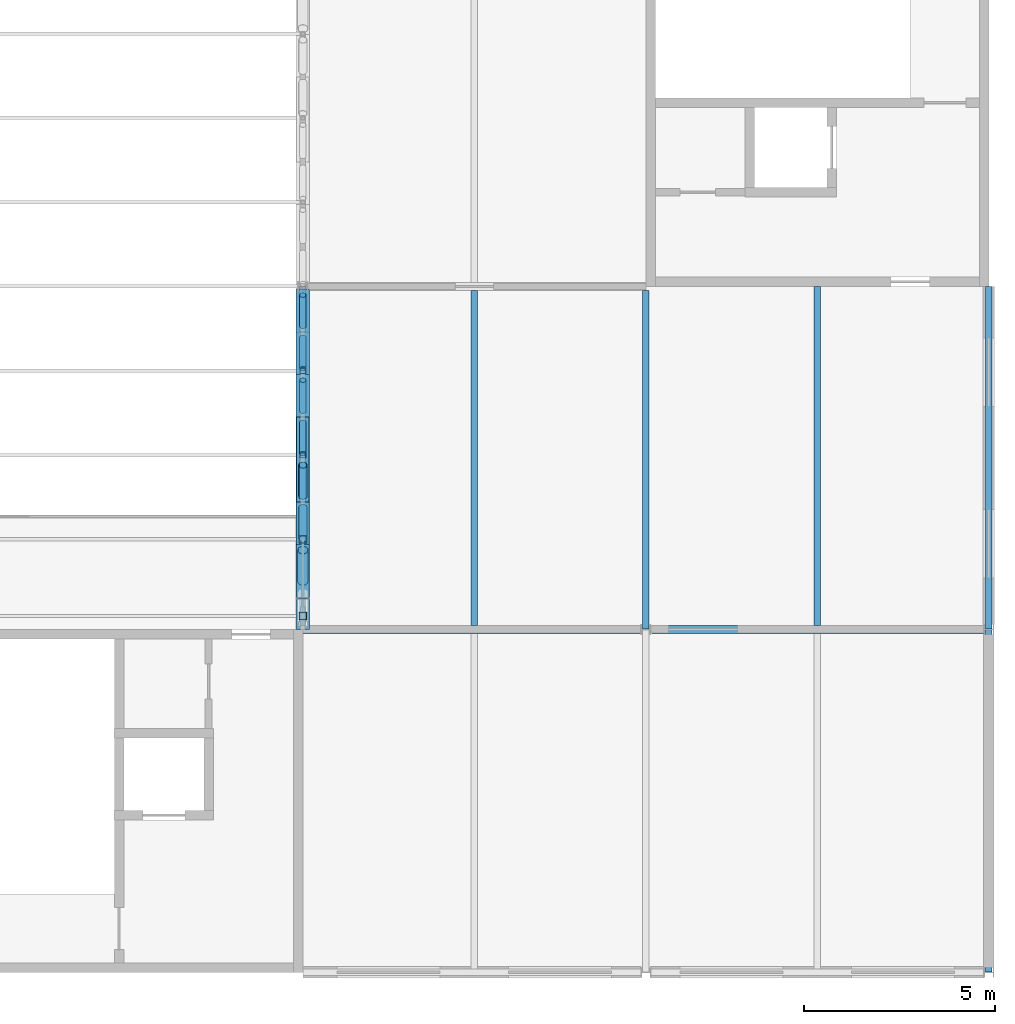
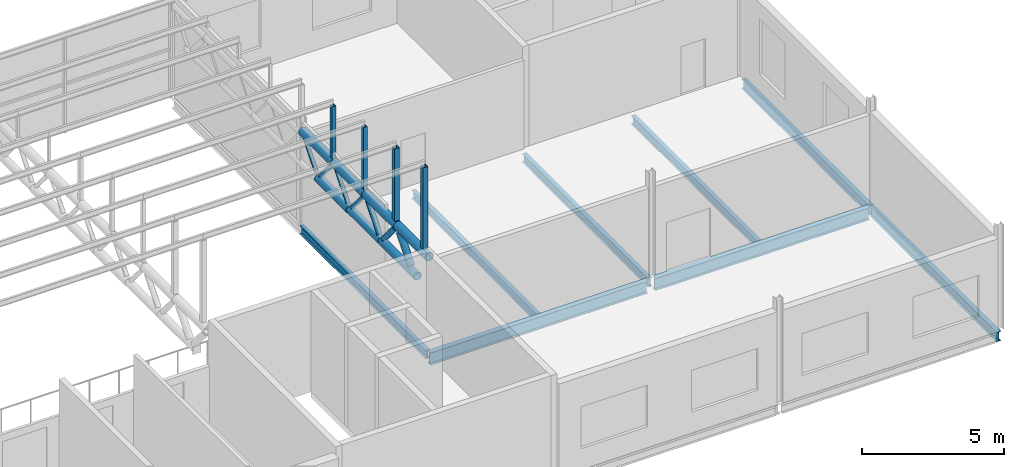
# One storey, part 80 of 138: 18 members, 8 beams.
"""IFC4 building model written with IfcOpenShell, lengths in metres."""

from ifc_helpers import new_model, si_unit, direction, frame, origin, origin_2d, place, context, subcontext, project, spatial, hollow_rectangle, hollow_circle, i_section, extrude, material, material_profile, profile_set, type_object, element, save


model = new_model("IFC4")

# Units and contexts
model_context = context("Model", 3, precision=1e-05, world=origin(), true_north=direction((0.0, 1.0)))
body_context = subcontext(model_context, "Body", "Model", "MODEL_VIEW")
ifc_project = project(units=[si_unit("LENGTHUNIT", "METRE"), si_unit("AREAUNIT", "SQUARE_METRE"), si_unit("VOLUMEUNIT", "CUBIC_METRE"), si_unit("PLANEANGLEUNIT", "RADIAN"), si_unit("MASSUNIT", "GRAM", prefix="KILO")], contexts=[model_context])

# Site, building, storey
site_placement = place(None, origin())
site = spatial("IfcSite", under=ifc_project, at=site_placement, CompositionType="ELEMENT")
building_placement = place(site_placement, origin())
building = spatial("IfcBuilding", under=site, at=building_placement, Name="Corbel Yard City Hall", CompositionType="ELEMENT")
storey_placement = place(building_placement, frame((0.0, 0.0, 10.5)))
storey = spatial("IfcBuildingStorey", under=building, at=storey_placement, Name="L02", CompositionType="ELEMENT", Elevation=10.5)

# Beams
ifc_material_1 = material(Name="Steel Grade 300 (300 MPa yield)", Category="steel")
ifc_material_profile_1 = material_profile(ifc_material_1, i_section(OverallWidth=0.1708984375, OverallDepth=0.35595703125, WebThickness=0.00732421875, FlangeThickness=0.011474609375, at=origin_2d()), Name="360UB50.7")
ifc_profile_set_1 = profile_set([ifc_material_profile_1], Name="Steel Grade 300 (300 MPa yield)")
beam_type_1 = type_object("IfcBeamType", Name="Beam 360UB50.7", PredefinedType="BEAM", material=ifc_profile_set_1)
beam_1_placement = place(storey_placement, frame((171.0, 9.005859375, -0.327880859375), z_axis=(0.0, 1.0, 0.0), x_axis=(-1.0, 0.0, 0.0)))
element("IfcBeam", 1, at=beam_1_placement, inside=storey, type_object=beam_type_1, Name="Beam 360UB50.7 SB14 L02floor", PredefinedType="BEAM", context=body_context, shape_type="SweptSolid", body=[
    extrude(i_section(OverallWidth=0.1708984375, OverallDepth=0.35595703125, WebThickness=0.00732421875, FlangeThickness=0.011474609375, at=origin_2d()), origin(), (0.0, 0.0, 1.0), 8.8896484375),
])
ifc_material_profile_2 = material_profile(ifc_material_1, i_section(OverallWidth=0.172119140625, OverallDepth=0.35888671875, WebThickness=0.008056640625, FlangeThickness=0.012939453125, at=origin_2d()), Name="360UB56.7")
ifc_profile_set_2 = profile_set([ifc_material_profile_2], Name="Steel Grade 300 (300 MPa yield)")
beam_type_2 = type_object("IfcBeamType", Name="Edge beam 360UB56.7", PredefinedType="BEAM", material=ifc_profile_set_2)
beam_2_placement = place(storey_placement, frame((162.0, 9.1044921875, -0.32958984375), z_axis=(0.0, 1.0, 0.0), x_axis=(-1.0, 0.0, 0.0)))
element("IfcBeam", 2, at=beam_2_placement, inside=storey, type_object=beam_type_2, Name="Edge beam 360UB56.7 EB4 L02floor", PredefinedType="BEAM", context=body_context, shape_type="SweptSolid", body=[
    extrude(i_section(OverallWidth=0.172119140625, OverallDepth=0.35888671875, WebThickness=0.008056640625, FlangeThickness=0.012939453125, at=origin_2d()), origin(), (0.0, 0.0, 1.0), 8.8896484375),
])
ifc_material_profile_3 = material_profile(ifc_material_1, i_section(OverallWidth=0.177978515625, OverallDepth=0.403076171875, WebThickness=0.007568359375, FlangeThickness=0.010986328125, at=origin_2d()), Name="410UB53.7")
ifc_profile_set_3 = profile_set([ifc_material_profile_3], Name="Steel Grade 300 (300 MPa yield)")
beam_type_3 = type_object("IfcBeamType", Name="Edge beam 410UB53.7", PredefinedType="BEAM", material=ifc_profile_set_3)
beam_3_placement = place(storey_placement, frame((180.0, 0.00537109375, -0.3515625), z_axis=(0.0, 1.0, 0.0), x_axis=(-1.0, 0.0, 0.0)))
element("IfcBeam", 3, at=beam_3_placement, inside=storey, type_object=beam_type_3, Name="Edge beam 410UB53.7 EB6 L02floor", PredefinedType="BEAM", context=body_context, shape_type="SweptSolid", body=[
    extrude(i_section(OverallWidth=0.177978515625, OverallDepth=0.403076171875, WebThickness=0.007568359375, FlangeThickness=0.010986328125, at=origin_2d()), origin(), (0.0, 0.0, 1.0), 8.9892578125),
])
beam_4_placement = place(storey_placement, frame((180.0, 9.00537109375, -0.3515625), z_axis=(0.0, 1.0, 0.0), x_axis=(-1.0, 0.0, 0.0)))
element("IfcBeam", 4, at=beam_4_placement, inside=storey, type_object=beam_type_3, Name="Edge beam 410UB53.7 EB6 L02floor", PredefinedType="BEAM", context=body_context, shape_type="SweptSolid", body=[
    extrude(i_section(OverallWidth=0.177978515625, OverallDepth=0.403076171875, WebThickness=0.007568359375, FlangeThickness=0.010986328125, at=origin_2d()), origin(), (0.0, 0.0, 1.0), 8.99462890625),
])
ifc_material_profile_4 = material_profile(ifc_material_1, i_section(OverallWidth=0.208984375, OverallDepth=0.528076171875, WebThickness=0.009521484375, FlangeThickness=0.01318359375, at=origin_2d()), Name="530UB82.0")
ifc_profile_set_4 = profile_set([ifc_material_profile_4], Name="Steel Grade 300 (300 MPa yield)")
beam_type_4 = type_object("IfcBeamType", Name="Girder 530UB82.0", PredefinedType="BEAM", material=ifc_profile_set_4)
beam_5_placement = place(storey_placement, frame((162.0, 9.0, -0.4140625), z_axis=(1.0, 0.0, 0.0), x_axis=(0.0, 1.0, 0.0)))
element("IfcBeam", 5, at=beam_5_placement, inside=storey, type_object=beam_type_4, Name="Girder 530UB82.0 GB3 L02floor", PredefinedType="BEAM", context=body_context, shape_type="SweptSolid", body=[
    extrude(i_section(OverallWidth=0.208984375, OverallDepth=0.528076171875, WebThickness=0.009521484375, FlangeThickness=0.01318359375, at=origin_2d()), origin(), (0.0, 0.0, 1.0), 8.842529296875),
])
beam_6_placement = place(storey_placement, frame((171.157470703125, 9.0, -0.4140625), z_axis=(1.0, 0.0, 0.0), x_axis=(0.0, 1.0, 0.0)))
element("IfcBeam", 6, at=beam_6_placement, inside=storey, type_object=beam_type_4, Name="Girder 530UB82.0 GB3 L02floor", PredefinedType="BEAM", context=body_context, shape_type="SweptSolid", body=[
    extrude(i_section(OverallWidth=0.208984375, OverallDepth=0.528076171875, WebThickness=0.009521484375, FlangeThickness=0.01318359375, at=origin_2d()), origin(), (0.0, 0.0, 1.0), 8.712646484375),
])

# Members
ifc_material_2 = material(Name="Steel Grade C350L0", Category="steel")
ifc_material_profile_5 = material_profile(ifc_material_2, hollow_circle(Radius=0.161865234375, WallThickness=0.0126953125, at=origin_2d()), Name="323.9x12.7CHS")
ifc_profile_set_5 = profile_set([ifc_material_profile_5], Name="Steel Grade C350L0")
member_type_1 = type_object("IfcMemberType", Name="Hall roof truss bottom chord 323.9x12.7CHS", PredefinedType="CHORD", material=ifc_profile_set_5)
member_1_placement = place(storey_placement, frame((162.0, 9.8154296875, 2.59228515625), z_axis=(0.0, 1.0, 0.0), x_axis=(-1.0, 0.0, 0.0)))
element("IfcMember", 7, at=member_1_placement, inside=storey, type_object=member_type_1, Name="Hall roof truss bottom chord 323.9x12.7CHS TC2", PredefinedType="CHORD", context=body_context, shape_type="SweptSolid", body=[
    extrude(hollow_circle(Radius=0.161865234375, WallThickness=0.0126953125, at=origin_2d()), origin(), (0.0, 0.0, 1.0), 2.531005859375),
])
member_2_placement = place(storey_placement, frame((162.0, 12.346435546875, 2.59228515625), z_axis=(0.0, 1.0, 0.0), x_axis=(-1.0, 0.0, 0.0)))
element("IfcMember", 8, at=member_2_placement, inside=storey, type_object=member_type_1, Name="Hall roof truss bottom chord 323.9x12.7CHS TC2", PredefinedType="CHORD", context=body_context, shape_type="SweptSolid", body=[
    extrude(hollow_circle(Radius=0.161865234375, WallThickness=0.0126953125, at=origin_2d()), origin(), (0.0, 0.0, 1.0), 2.23095703125),
])
ifc_material_profile_6 = material_profile(ifc_material_2, hollow_circle(Radius=0.177734375, WallThickness=0.0126953125, at=origin_2d()), Name="355.6x12.7CHS")
ifc_profile_set_6 = profile_set([ifc_material_profile_6], Name="Steel Grade C350L0")
member_type_2 = type_object("IfcMemberType", Name="Hall roof truss bottom chord 355.6x12.7CHS", PredefinedType="CHORD", material=ifc_profile_set_6)
member_3_placement = place(storey_placement, frame((162.0, 14.577392578125, 2.59228515625), z_axis=(0.0, 1.0, 0.0), x_axis=(-1.0, 0.0, 0.0)))
element("IfcMember", 9, at=member_3_placement, inside=storey, type_object=member_type_2, Name="Hall roof truss bottom chord 355.6x12.7CHS TC3", PredefinedType="CHORD", context=body_context, shape_type="SweptSolid", body=[
    extrude(hollow_circle(Radius=0.177734375, WallThickness=0.0126953125, at=origin_2d()), origin(), (0.0, 0.0, 1.0), 2.23095703125),
])
ifc_material_profile_7 = material_profile(ifc_material_2, hollow_circle(Radius=0.084228515625, WallThickness=0.007080078125, at=origin_2d()), Name="168.3x7.1CHS")
ifc_profile_set_7 = profile_set([ifc_material_profile_7], Name="Steel Grade C350L0")
member_type_3 = type_object("IfcMemberType", Name="Hall roof truss diagonal 168.3x7.1CHS", PredefinedType="STRUT", material=ifc_profile_set_7)
for number, where, z_axis, x_axis, name in (
    (10, (162.0, 13.611083984375, 3.744384765625), (0.0, 0.64257954038, -0.766218985855), (-1.0, 0.0, 0.0), "Hall roof truss diagonal 168.3x7.1CHS TD3"),
    (11, (162.0, 14.7265625, 2.77001953125), (0.0, 0.64257954038, 0.766218985855), (-1.0, 0.0, 0.0), "Hall roof truss diagonal 168.3x7.1CHS TD3"),
    (12, (162.0, 15.842041015625, 3.744384765625), (0.0, 0.64257954038, -0.766218985855), (-1.0, 0.0, 0.0), "Hall roof truss diagonal 168.3x7.1CHS TD3"),
    (13, (162.0, 16.95751953125, 2.77001953125), (0.0, 0.64257954038, 0.766218985855), (-1.0, 0.0, 0.0), "Hall roof truss diagonal 168.3x7.1CHS TD3"),
):
    element("IfcMember", number, at=place(storey_placement, frame(where, z_axis=z_axis, x_axis=x_axis)), inside=storey, type_object=member_type_3, Name=name, PredefinedType="STRUT", context=body_context, shape_type="SweptSolid", body=[
        extrude(hollow_circle(Radius=0.084228515625, WallThickness=0.007080078125, at=origin_2d()), origin(), (0.0, 0.0, 1.0), 1.271728515625),
    ])
ifc_material_profile_8 = material_profile(ifc_material_2, hollow_circle(Radius=0.109619140625, WallThickness=0.00830078125, at=origin_2d()), Name="219.1x8.2CHS")
ifc_profile_set_8 = profile_set([ifc_material_profile_8], Name="Steel Grade C350L0")
member_type_4 = type_object("IfcMemberType", Name="Hall roof truss diagonal 219.1x8.2CHS", PredefinedType="STRUT", material=ifc_profile_set_8)
for number, where, z_axis, x_axis, name in (
    (14, (162.0, 11.380126953125, 3.744384765625), (0.0, 0.64257954038, -0.766218985855), (-1.0, 0.0, 0.0), "Hall roof truss diagonal 219.1x8.2CHS TD2"),
    (15, (162.0, 12.49560546875, 2.77001953125), (0.0, 0.64257954038, 0.766218985855), (-1.0, 0.0, 0.0), "Hall roof truss diagonal 219.1x8.2CHS TD2"),
):
    element("IfcMember", number, at=place(storey_placement, frame(where, z_axis=z_axis, x_axis=x_axis)), inside=storey, type_object=member_type_4, Name=name, PredefinedType="STRUT", context=body_context, shape_type="SweptSolid", body=[
        extrude(hollow_circle(Radius=0.109619140625, WallThickness=0.00830078125, at=origin_2d()), origin(), (0.0, 0.0, 1.0), 1.271728515625),
    ])
ifc_material_profile_9 = material_profile(ifc_material_2, hollow_circle(Radius=0.136474609375, WallThickness=0.00927734375, at=origin_2d()), Name="273.1x9.3CHS")
ifc_profile_set_9 = profile_set([ifc_material_profile_9], Name="Steel Grade C350L0")
member_type_5 = type_object("IfcMemberType", Name="Hall roof truss diagonal 273.1x9.3CHS", PredefinedType="STRUT", material=ifc_profile_set_9)
member_4_placement = place(storey_placement, frame((162.0, 10.2646484375, 2.77001953125), z_axis=(0.0, 0.64257954038, 0.766218985855), x_axis=(-1.0, 0.0, 0.0)))
element("IfcMember", 16, at=member_4_placement, inside=storey, type_object=member_type_5, Name="Hall roof truss diagonal 273.1x9.3CHS TD1", PredefinedType="STRUT", context=body_context, shape_type="SweptSolid", body=[
    extrude(hollow_circle(Radius=0.136474609375, WallThickness=0.00927734375, at=origin_2d()), origin(), (0.0, 0.0, 1.0), 1.271728515625),
])
ifc_material_profile_10 = material_profile(ifc_material_2, hollow_circle(Radius=0.177734375, WallThickness=0.0126953125, at=origin_2d()), Name="355.6x12.7CHS")
ifc_profile_set_10 = profile_set([ifc_material_profile_10], Name="Steel Grade C350L0")
member_type_6 = type_object("IfcMemberType", Name="Hall roof truss top chord 355.6x12.7CHS", PredefinedType="CHORD", material=ifc_profile_set_10)
for number, where, z_axis, x_axis, name in (
    (17, (162.0, 9.0, 3.922119140625), (0.0, 1.0, 0.0), (-1.0, 0.0, 0.0), "Hall roof truss top chord 355.6x12.7CHS TC1"),
    (18, (162.0, 11.23095703125, 3.922119140625), (0.0, 1.0, 0.0), (-1.0, 0.0, 0.0), "Hall roof truss top chord 355.6x12.7CHS TC1"),
    (19, (162.0, 13.4619140625, 3.922119140625), (0.0, 1.0, 0.0), (-1.0, 0.0, 0.0), "Hall roof truss top chord 355.6x12.7CHS TC1"),
    (20, (162.0, 15.69287109375, 3.922119140625), (0.0, 1.0, 0.0), (-1.0, 0.0, 0.0), "Hall roof truss top chord 355.6x12.7CHS TC1"),
):
    element("IfcMember", number, at=place(storey_placement, frame(where, z_axis=z_axis, x_axis=x_axis)), inside=storey, type_object=member_type_6, Name=name, PredefinedType="CHORD", context=body_context, shape_type="SweptSolid", body=[
        extrude(hollow_circle(Radius=0.177734375, WallThickness=0.0126953125, at=origin_2d()), origin(), (0.0, 0.0, 1.0), 2.23095703125),
    ])
ifc_material_3 = material(Name="Steel Grade C450L0", Category="steel")
ifc_material_profile_11 = material_profile(ifc_material_3, hollow_rectangle(XDim=0.14990234375, YDim=0.14990234375, WallThickness=0.009033203125, at=origin_2d()), Name="150x150x9.0SHS")
ifc_profile_set_11 = profile_set([ifc_material_profile_11], Name="Steel Grade C450L0")
member_type_7 = type_object("IfcMemberType", Name="Roof post 150x150x9.0SHS", PredefinedType="POST", material=ifc_profile_set_11)
member_5_placement = place(storey_placement, frame((162.0, 13.576171875, 4.10009765625), z_axis=(0.0, 0.0, 1.0), x_axis=(1.0, 0.0, 0.0)))
element("IfcMember", 21, at=member_5_placement, inside=storey, type_object=member_type_7, Name="Roof post 150x150x9.0SHS RP2", PredefinedType="POST", context=body_context, shape_type="SweptSolid", body=[
    extrude(hollow_rectangle(XDim=0.14990234375, YDim=0.14990234375, WallThickness=0.009033203125, at=origin_2d()), origin(), (0.0, 0.0, 1.0), 2.675537109375),
])
member_6_placement = place(storey_placement, frame((162.0, 15.7880859375, 4.10009765625), z_axis=(0.0, 0.0, 1.0), x_axis=(1.0, 0.0, 0.0)))
element("IfcMember", 22, at=member_6_placement, inside=storey, type_object=member_type_7, Name="Roof post 150x150x9.0SHS RP2", PredefinedType="POST", context=body_context, shape_type="SweptSolid", body=[
    extrude(hollow_rectangle(XDim=0.14990234375, YDim=0.14990234375, WallThickness=0.009033203125, at=origin_2d()), origin(), (0.0, 0.0, 1.0), 2.2333984375),
])
ifc_material_profile_12 = material_profile(ifc_material_3, hollow_rectangle(XDim=0.199951171875, YDim=0.199951171875, WallThickness=0.009033203125, at=origin_2d()), Name="200x200x9.0SHS")
ifc_profile_set_12 = profile_set([ifc_material_profile_12], Name="Steel Grade C450L0")
member_type_8 = type_object("IfcMemberType", Name="Roof post 200x200x9.0SHS", PredefinedType="POST", material=ifc_profile_set_12)
member_7_placement = place(storey_placement, frame((162.0, 9.3525390625, 4.10009765625), z_axis=(0.0, 0.0, 1.0), x_axis=(1.0, 0.0, 0.0)))
element("IfcMember", 23, at=member_7_placement, inside=storey, type_object=member_type_8, Name="Roof post 200x200x9.0SHS RP1", PredefinedType="POST", context=body_context, shape_type="SweptSolid", body=[
    extrude(hollow_rectangle(XDim=0.199951171875, YDim=0.199951171875, WallThickness=0.009033203125, at=origin_2d()), origin(), (0.0, 0.0, 1.0), 3.5205078125),
])
member_8_placement = place(storey_placement, frame((162.0, 11.3642578125, 4.10009765625), z_axis=(0.0, 0.0, 1.0), x_axis=(1.0, 0.0, 0.0)))
element("IfcMember", 24, at=member_8_placement, inside=storey, type_object=member_type_8, Name="Roof post 200x200x9.0SHS RP1", PredefinedType="POST", context=body_context, shape_type="SweptSolid", body=[
    extrude(hollow_rectangle(XDim=0.199951171875, YDim=0.199951171875, WallThickness=0.009033203125, at=origin_2d()), origin(), (0.0, 0.0, 1.0), 3.117919921875),
])

# Beams
ifc_material_profile_13 = material_profile(ifc_material_1, i_section(OverallWidth=0.1708984375, OverallDepth=0.35205078125, WebThickness=0.0068359375, FlangeThickness=0.009765625, at=origin_2d()), Name="360UB44.7")
ifc_profile_set_13 = profile_set([ifc_material_profile_13], Name="Steel Grade 300 (300 MPa yield)")
beam_type_5 = type_object("IfcBeamType", Name="Secondary beam 360UB44.7", PredefinedType="JOIST", material=ifc_profile_set_13)
beam_7_placement = place(storey_placement, frame((166.5, 9.1044921875, -0.325927734375), z_axis=(0.0, 1.0, 0.0), x_axis=(-1.0, 0.0, 0.0)))
element("IfcBeam", 25, at=beam_7_placement, inside=storey, type_object=beam_type_5, Name="Secondary beam 360UB44.7 SB11 L02floor", PredefinedType="JOIST", context=body_context, shape_type="SweptSolid", body=[
    extrude(i_section(OverallWidth=0.1708984375, OverallDepth=0.35205078125, WebThickness=0.0068359375, FlangeThickness=0.009765625, at=origin_2d()), origin(), (0.0, 0.0, 1.0), 8.791015625),
])
ifc_material_profile_14 = material_profile(ifc_material_1, i_section(OverallWidth=0.1708984375, OverallDepth=0.35595703125, WebThickness=0.00732421875, FlangeThickness=0.011474609375, at=origin_2d()), Name="360UB50.7")
ifc_profile_set_14 = profile_set([ifc_material_profile_14], Name="Steel Grade 300 (300 MPa yield)")
beam_type_6 = type_object("IfcBeamType", Name="Secondary beam 360UB50.7", PredefinedType="JOIST", material=ifc_profile_set_14)
beam_8_placement = place(storey_placement, frame((175.5, 9.1044921875, -0.327880859375), z_axis=(0.0, 1.0, 0.0), x_axis=(-1.0, 0.0, 0.0)))
element("IfcBeam", 26, at=beam_8_placement, inside=storey, type_object=beam_type_6, Name="Secondary beam 360UB50.7 SB10 L02floor", PredefinedType="JOIST", context=body_context, shape_type="SweptSolid", body=[
    extrude(i_section(OverallWidth=0.1708984375, OverallDepth=0.35595703125, WebThickness=0.00732421875, FlangeThickness=0.011474609375, at=origin_2d()), origin(), (0.0, 0.0, 1.0), 8.8955078125),
])

save(model, "model.ifc")
